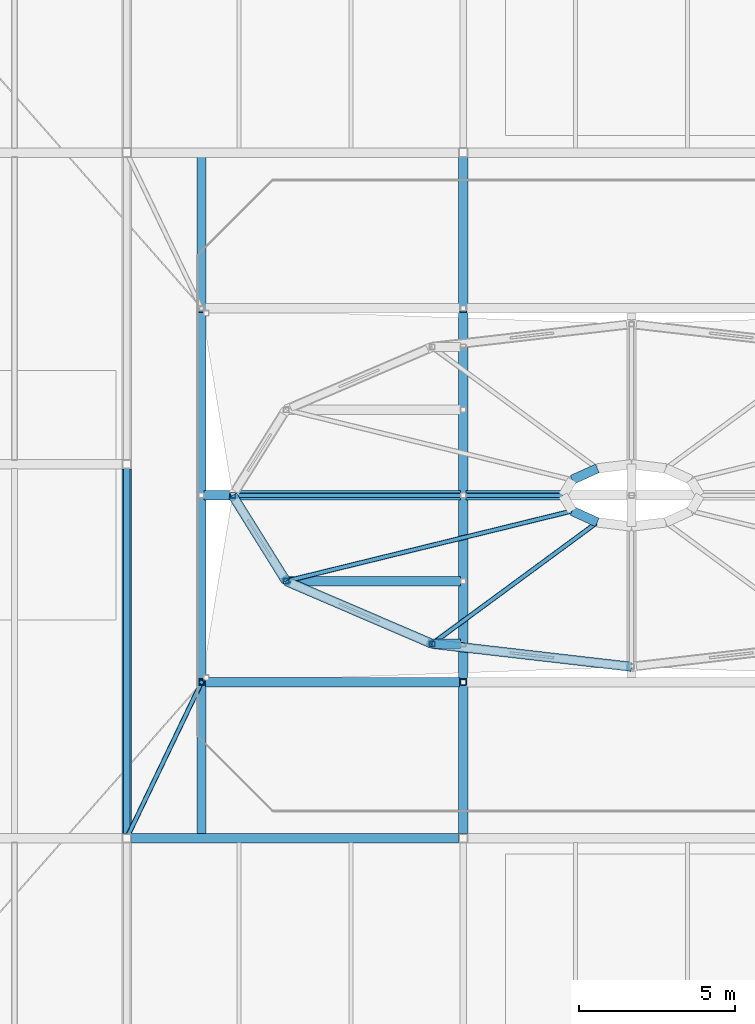
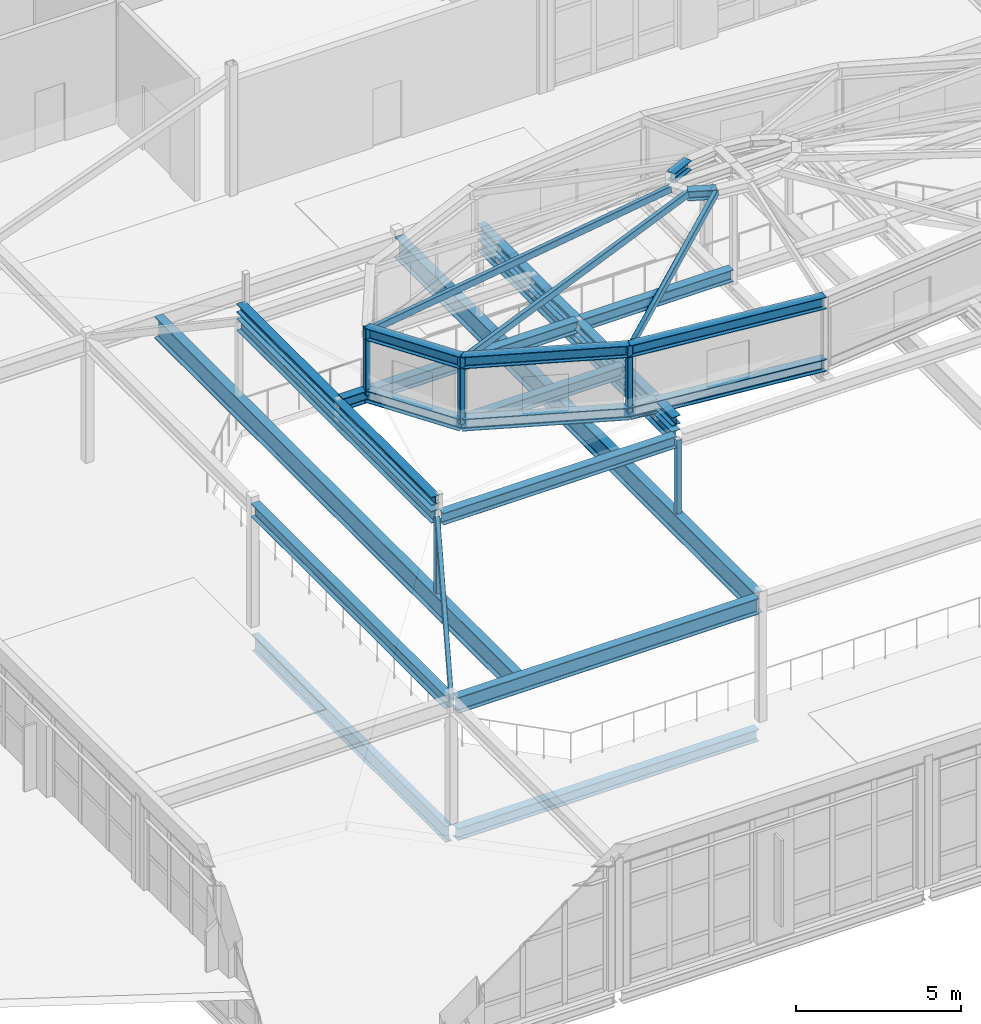
# One storey, part 28 of 86: 21 beams, 11 members.
"""IFC4 building model written with IfcOpenShell, lengths in metres."""

from ifc_helpers import new_model, si_unit, direction, frame, origin, origin_2d, place, context, subcontext, project, spatial, hollow_rectangle, i_section, extrude, material, material_profile, profile_set, type_object, element, save


model = new_model("IFC4")

# Units and contexts
model_context = context("Model", 3, precision=1e-05, world=origin(), true_north=direction((0.0, 1.0)))
body_context = subcontext(model_context, "Body", "Model", "MODEL_VIEW")
ifc_project = project(units=[si_unit("LENGTHUNIT", "METRE"), si_unit("AREAUNIT", "SQUARE_METRE"), si_unit("VOLUMEUNIT", "CUBIC_METRE"), si_unit("PLANEANGLEUNIT", "RADIAN"), si_unit("MASSUNIT", "GRAM", prefix="KILO")], contexts=[model_context])

# Site, building, storey
site_placement = place(None, origin())
site = spatial("IfcSite", under=ifc_project, at=site_placement, CompositionType="ELEMENT")
building_placement = place(site_placement, origin())
building = spatial("IfcBuilding", under=site, at=building_placement, Name="Tasgan Crest Museum", CompositionType="ELEMENT")
storey_placement = place(building_placement, frame((0.0, 0.0, 24.0)))
storey = spatial("IfcBuildingStorey", under=building, at=storey_placement, Name="L04", CompositionType="ELEMENT", Elevation=24.0)

# Beams
ifc_material_1 = material(Name="Steel S355K2", Category="steel")
ifc_material_profile_1 = material_profile(ifc_material_1, i_section(OverallWidth=0.300048828125, OverallDepth=0.43994140625, WebThickness=0.011474609375, FlangeThickness=0.02099609375, FilletRadius=0.027099609375, at=origin_2d()), Name="HEA 450")
ifc_profile_set_1 = profile_set([ifc_material_profile_1], Name="Steel S355K2")
beam_type_1 = type_object("IfcBeamType", Name="BM-DRUM-RING", PredefinedType="BEAM", material=ifc_profile_set_1)
beam_1_placement = place(storey_placement, frame((67.324951171875, 55.0, 7.320068359375), z_axis=(1.0, 0.0, 0.0), x_axis=(0.0, 1.0, 0.0)))
element("IfcBeam", 1, at=beam_1_placement, inside=storey, type_object=beam_type_1, Name="Winter-garden crown ring beam S1", PredefinedType="BEAM", context=body_context, shape_type="SweptSolid", body=[
    extrude(i_section(OverallWidth=0.300048828125, OverallDepth=0.43994140625, WebThickness=0.011474609375, FlangeThickness=0.02099609375, FilletRadius=0.027099609375, at=origin_2d()), origin(), (0.0, 0.0, 1.0), 8.150146484375),
])
for number, where, z_axis, x_axis, name in (
    (2, (67.199951171875, 55.125, 7.320068359375), (0.0, 1.0, 0.0), (-1.0, 0.0, 0.0), "Winter-garden crown ring beam W"),
    (3, (75.60009765625, 55.125, 7.320068359375), (0.0, 1.0, 0.0), (-1.0, 0.0, 0.0), "Winter-garden crown cross girder X=75.6"),
):
    element("IfcBeam", number, at=place(storey_placement, frame(where, z_axis=z_axis, x_axis=x_axis)), inside=storey, type_object=beam_type_1, Name=name, PredefinedType="BEAM", context=body_context, shape_type="SweptSolid", body=[
        extrude(i_section(OverallWidth=0.300048828125, OverallDepth=0.43994140625, WebThickness=0.011474609375, FlangeThickness=0.02099609375, FilletRadius=0.027099609375, at=origin_2d()), origin(), (0.0, 0.0, 1.0), 11.75),
    ])
beam_2_placement = place(storey_placement, frame((67.284912109375, 61.0, 7.919921875), z_axis=(1.0, 0.0, 0.0), x_axis=(0.0, 1.0, 0.0)))
element("IfcBeam", 4, at=beam_2_placement, inside=storey, type_object=beam_type_1, Name="Rotunda longitudinal spine girder 1", PredefinedType="BEAM", context=body_context, shape_type="SweptSolid", body=[
    extrude(i_section(OverallWidth=0.300048828125, OverallDepth=0.43994140625, WebThickness=0.011474609375, FlangeThickness=0.02099609375, FilletRadius=0.027099609375, at=origin_2d()), origin(), (0.0, 0.0, 1.0), 8.22998046875),
])
beam_3_placement = place(storey_placement, frame((75.68505859375, 61.0, 7.919921875), z_axis=(1.0, 0.0, 0.0), x_axis=(0.0, 1.0, 0.0)))
element("IfcBeam", 5, at=beam_3_placement, inside=storey, type_object=beam_type_1, Name="Rotunda longitudinal spine girder 2", PredefinedType="BEAM", context=body_context, shape_type="SweptSolid", body=[
    extrude(i_section(OverallWidth=0.300048828125, OverallDepth=0.43994140625, WebThickness=0.011474609375, FlangeThickness=0.02099609375, FilletRadius=0.027099609375, at=origin_2d()), origin(), (0.0, 0.0, 1.0), 5.22998046875),
])
for number, where, z_axis, x_axis, name in (
    (6, (68.199951171875, 61.0, 7.919921875), (0.529131922022, -0.848539574267, 0.0), (0.848539574267, 0.529131922022, 0.0), "Rotunda base ring 7"),
    (7, (68.199951171875, 61.0, 10.219970703125), (0.529131922022, -0.848539574267, 0.0), (0.848539574267, 0.529131922022, 0.0), "Rotunda eave ring 7"),
):
    element("IfcBeam", number, at=place(storey_placement, frame(where, z_axis=z_axis, x_axis=x_axis)), inside=storey, type_object=beam_type_1, Name=name, PredefinedType="BEAM", context=body_context, shape_type="SweptSolid", body=[
        extrude(i_section(OverallWidth=0.300048828125, OverallDepth=0.43994140625, WebThickness=0.011474609375, FlangeThickness=0.02099609375, FilletRadius=0.027099609375, at=origin_2d()), origin(), (0.0, 0.0, 1.0), 3.240966796875),
    ])
beam_4_placement = place(storey_placement, frame((75.514892578125, 58.25, 7.919921875), z_axis=(-1.0, 0.0, 0.0), x_axis=(0.0, -1.0, 0.0)))
element("IfcBeam", 8, at=beam_4_placement, inside=storey, type_object=beam_type_1, Name="Rotunda radial vertex bearer 8", PredefinedType="BEAM", context=body_context, shape_type="SweptSolid", body=[
    extrude(i_section(OverallWidth=0.300048828125, OverallDepth=0.43994140625, WebThickness=0.011474609375, FlangeThickness=0.02099609375, FilletRadius=0.027099609375, at=origin_2d()), origin(), (0.0, 0.0, 1.0), 5.60009765625),
])
for number, where, z_axis, x_axis, name in (
    (9, (69.914794921875, 58.25, 7.919921875), (0.918775656521, -0.394780056468, 0.0), (0.394780056468, 0.918775656521, 0.0), "Rotunda base ring 8"),
    (10, (69.914794921875, 58.25, 10.219970703125), (0.918775656521, -0.394780056468, 0.0), (0.394780056468, 0.918775656521, 0.0), "Rotunda eave ring 8"),
):
    element("IfcBeam", number, at=place(storey_placement, frame(where, z_axis=z_axis, x_axis=x_axis)), inside=storey, type_object=beam_type_1, Name=name, PredefinedType="BEAM", context=body_context, shape_type="SweptSolid", body=[
        extrude(i_section(OverallWidth=0.300048828125, OverallDepth=0.43994140625, WebThickness=0.011474609375, FlangeThickness=0.02099609375, FilletRadius=0.027099609375, at=origin_2d()), origin(), (0.0, 0.0, 1.0), 5.099609375),
    ])
beam_5_placement = place(storey_placement, frame((75.514892578125, 56.23681640625, 7.919921875), z_axis=(-1.0, 0.0, 0.0), x_axis=(0.0, -1.0, 0.0)))
element("IfcBeam", 11, at=beam_5_placement, inside=storey, type_object=beam_type_1, Name="Rotunda radial vertex bearer 9", PredefinedType="BEAM", context=body_context, shape_type="SweptSolid", body=[
    extrude(i_section(OverallWidth=0.300048828125, OverallDepth=0.43994140625, WebThickness=0.011474609375, FlangeThickness=0.02099609375, FilletRadius=0.027099609375, at=origin_2d()), origin(), (0.0, 0.0, 1.0), 0.914794921875),
])
for number, where, z_axis, x_axis, name in (
    (12, (74.60009765625, 56.23681640625, 7.919921875), (0.993437783684, -0.114373816707, 0.0), (0.114373816707, 0.993437783684, 0.0), "Rotunda base ring 9"),
    (13, (74.60009765625, 56.23681640625, 10.219970703125), (0.993437783684, -0.114373816707, 0.0), (0.114373816707, 0.993437783684, 0.0), "Rotunda eave ring 9"),
):
    element("IfcBeam", number, at=place(storey_placement, frame(where, z_axis=z_axis, x_axis=x_axis)), inside=storey, type_object=beam_type_1, Name=name, PredefinedType="BEAM", context=body_context, shape_type="SweptSolid", body=[
        extrude(i_section(OverallWidth=0.300048828125, OverallDepth=0.43994140625, WebThickness=0.011474609375, FlangeThickness=0.02099609375, FilletRadius=0.027099609375, at=origin_2d()), origin(), (0.0, 0.0, 1.0), 6.442138671875),
    ])
ifc_material_2 = material(Name="Steel S355J2", Category="steel")
ifc_material_profile_2 = material_profile(ifc_material_2, i_section(OverallWidth=0.300048828125, OverallDepth=0.35009765625, WebThickness=0.009521484375, FlangeThickness=0.017578125, FilletRadius=0.027099609375, at=origin_2d()), Name="HEA 360")
ifc_profile_set_2 = profile_set([ifc_material_profile_2], Name="Steel S355J2")
beam_type_2 = type_object("IfcBeamType", Name="BM-G-HEA360", PredefinedType="BEAM", material=ifc_profile_set_2)
for number, where, z_axis, x_axis, name in (
    (14, (79.89990234375, 61.865966796875, 11.800048828125), (-0.910375930608, -0.41378214675, 0.0), (0.41378214675, -0.910375930608, 0.0), "Rotunda oculus compression ring 5"),
    (15, (79.0947265625, 60.5, 11.800048828125), (0.910375930608, -0.41378214675, 0.0), (0.41378214675, 0.910375930608, 0.0), "Rotunda oculus compression ring 8"),
):
    element("IfcBeam", number, at=place(storey_placement, frame(where, z_axis=z_axis, x_axis=x_axis)), inside=storey, type_object=beam_type_2, Name=name, PredefinedType="BEAM", context=body_context, shape_type="SweptSolid", body=[
        extrude(i_section(OverallWidth=0.300048828125, OverallDepth=0.35009765625, WebThickness=0.009521484375, FlangeThickness=0.017578125, FilletRadius=0.027099609375, at=origin_2d()), origin(), (0.0, 0.0, 1.0), 0.884521484375),
    ])
ifc_material_3 = material(Name="Steel S355J2", Category="steel")
ifc_material_profile_3 = material_profile(ifc_material_3, i_section(OverallWidth=0.300048828125, OverallDepth=0.43994140625, WebThickness=0.011474609375, FlangeThickness=0.02099609375, FilletRadius=0.027099609375, at=origin_2d()), Name="HEA 450")
ifc_profile_set_3 = profile_set([ifc_material_profile_3], Name="Steel S355J2")
beam_type_3 = type_object("IfcBeamType", Name="BM-G-HEA450", PredefinedType="BEAM", material=ifc_profile_set_3)
beam_6_placement = place(storey_placement, frame((64.946044921875, 50.0, -0.4599609375), z_axis=(1.0, 0.0, 0.0), x_axis=(0.0, 1.0, 0.0)))
element("IfcBeam", 16, at=beam_6_placement, inside=storey, type_object=beam_type_3, Name="Girder L04 F 64.8-75.6", PredefinedType="BEAM", context=body_context, shape_type="SweptSolid", body=[
    extrude(i_section(OverallWidth=0.300048828125, OverallDepth=0.43994140625, WebThickness=0.011474609375, FlangeThickness=0.02099609375, FilletRadius=0.027099609375, at=origin_2d()), origin(), (0.0, 0.0, 1.0), 10.508056640625),
])
ifc_material_4 = material(Name="Steel S355J2", Category="steel")
ifc_material_profile_4 = material_profile(ifc_material_4, i_section(OverallWidth=0.300048828125, OverallDepth=0.489990234375, WebThickness=0.011962890625, FlangeThickness=0.02294921875, FilletRadius=0.027099609375, at=origin_2d()), Name="HEA 500")
ifc_profile_set_4 = profile_set([ifc_material_profile_4], Name="Steel S355J2")
beam_type_4 = type_object("IfcBeamType", Name="BM-G-HEA500", PredefinedType="BEAM", material=ifc_profile_set_4)
beam_7_placement = place(storey_placement, frame((64.800048828125, 50.14599609375, 4.35498046875), z_axis=(0.0, 1.0, 0.0), x_axis=(-1.0, 0.0, 0.0)))
element("IfcBeam", 17, at=beam_7_placement, inside=storey, type_object=beam_type_4, Name="Winter-garden roof beam 7 50-62", PredefinedType="BEAM", context=body_context, shape_type="SweptSolid", body=[
    extrude(i_section(OverallWidth=0.300048828125, OverallDepth=0.489990234375, WebThickness=0.011962890625, FlangeThickness=0.02294921875, FilletRadius=0.027099609375, at=origin_2d()), origin(), (0.0, 0.0, 1.0), 11.7080078125),
])
ifc_material_5 = material(Name="Steel S355J2", Category="steel")
ifc_material_profile_5 = material_profile(ifc_material_5, i_section(OverallWidth=0.300048828125, OverallDepth=0.590087890625, WebThickness=0.012939453125, FlangeThickness=0.02490234375, FilletRadius=0.027099609375, at=origin_2d()), Name="HEA 600")
ifc_profile_set_5 = profile_set([ifc_material_profile_5], Name="Steel S355J2")
beam_type_5 = type_object("IfcBeamType", Name="BM-G-HEA600", PredefinedType="BEAM", material=ifc_profile_set_5)
beam_8_placement = place(storey_placement, frame((64.946044921875, 50.0, 4.304931640625), z_axis=(1.0, 0.0, 0.0), x_axis=(0.0, 1.0, 0.0)))
element("IfcBeam", 18, at=beam_8_placement, inside=storey, type_object=beam_type_5, Name="Winter-garden roof girder F 64.8-75.6", PredefinedType="BEAM", context=body_context, shape_type="SweptSolid", body=[
    extrude(i_section(OverallWidth=0.300048828125, OverallDepth=0.590087890625, WebThickness=0.012939453125, FlangeThickness=0.02490234375, FilletRadius=0.027099609375, at=origin_2d()), origin(), (0.0, 0.0, 1.0), 10.508056640625),
])
ifc_material_6 = material(Name="Steel S355J2", Category="steel")
ifc_material_profile_6 = material_profile(ifc_material_6, i_section(OverallWidth=0.219970703125, OverallDepth=0.60009765625, WebThickness=0.011962890625, FlangeThickness=0.01904296875, FilletRadius=0.02392578125, at=origin_2d()), Name="IPE 600")
ifc_profile_set_6 = profile_set([ifc_material_profile_6], Name="Steel S355J2")
beam_type_6 = type_object("IfcBeamType", Name="BM-G-IPE600", PredefinedType="BEAM", material=ifc_profile_set_6)
beam_9_placement = place(storey_placement, frame((64.800048828125, 50.14501953125, -0.5400390625), z_axis=(0.0, 1.0, 0.0), x_axis=(-1.0, 0.0, 0.0)))
element("IfcBeam", 19, at=beam_9_placement, inside=storey, type_object=beam_type_6, Name="Beam L04 7 50.0-62.0", PredefinedType="BEAM", context=body_context, shape_type="SweptSolid", body=[
    extrude(i_section(OverallWidth=0.219970703125, OverallDepth=0.60009765625, WebThickness=0.011962890625, FlangeThickness=0.01904296875, FilletRadius=0.02392578125, at=origin_2d()), origin(), (0.0, 0.0, 1.0), 11.7099609375),
])
ifc_material_7 = material(Name="Steel S355K2", Category="steel")
ifc_material_profile_7 = material_profile(ifc_material_7, i_section(OverallWidth=0.300048828125, OverallDepth=0.800048828125, WebThickness=0.017578125, FlangeThickness=0.032958984375, FilletRadius=0.030029296875, at=origin_2d()), Name="HEB 800")
ifc_profile_set_7 = profile_set([ifc_material_profile_7], Name="Steel S355K2")
beam_type_7 = type_object("IfcBeamType", Name="BM-TG-HEB800", PredefinedType="BEAM", material=ifc_profile_set_7)
for number, where, z_axis, x_axis, name in (
    (20, (67.199951171875, 50.14599609375, 4.199951171875), (0.0, 1.0, 0.0), (-1.0, 0.0, 0.0), "Winter-garden lantern support girder X=67.2"),
    (21, (75.60009765625, 50.14599609375, 4.199951171875), (0.0, 1.0, 0.0), (-1.0, 0.0, 0.0), "Winter-garden lantern support girder X=75.6"),
):
    element("IfcBeam", number, at=place(storey_placement, frame(where, z_axis=z_axis, x_axis=x_axis)), inside=storey, type_object=beam_type_7, Name=name, PredefinedType="BEAM", context=body_context, shape_type="SweptSolid", body=[
        extrude(i_section(OverallWidth=0.300048828125, OverallDepth=0.800048828125, WebThickness=0.017578125, FlangeThickness=0.032958984375, FilletRadius=0.030029296875, at=origin_2d()), origin(), (0.0, 0.0, 1.0), 21.7080078125),
    ])

# Members
ifc_material_8 = material(Name="Steel S355K2", Category="steel")
ifc_material_profile_8 = material_profile(ifc_material_8, hollow_rectangle(XDim=0.14990234375, YDim=0.25, WallThickness=0.010009765625, InnerFilletRadius=0.010009765625, OuterFilletRadius=0.02001953125, at=origin_2d()), Name="RHS 250x150x10")
ifc_profile_set_8 = profile_set([ifc_material_profile_8], Name="Steel S355K2")
member_type_1 = type_object("IfcMemberType", Name="MEM-DRUM-RIB", PredefinedType="RAFTER", material=ifc_profile_set_8)
member_1_placement = place(storey_placement, frame((68.199951171875, 61.0, 10.219970703125), z_axis=(0.989071950169, 0.0, 0.147433637236), x_axis=(0.0, 1.0, 0.0)))
element("IfcMember", 22, at=member_1_placement, inside=storey, type_object=member_type_1, Name="Rotunda radial rafter 7", PredefinedType="RAFTER", context=body_context, shape_type="SweptSolid", body=[
    extrude(hollow_rectangle(XDim=0.14990234375, YDim=0.25, WallThickness=0.010009765625, InnerFilletRadius=0.010009765625, OuterFilletRadius=0.02001953125, at=origin_2d()), origin(), (0.0, 0.0, 1.0), 10.71728515625),
])
member_2_placement = place(storey_placement, frame((69.914794921875, 58.25, 10.219970703125), z_axis=(0.95795799205, 0.234795373919, 0.164886681858), x_axis=(-0.238053730189, 0.971251986635, 0.0)))
element("IfcMember", 23, at=member_2_placement, inside=storey, type_object=member_type_1, Name="Rotunda radial rafter 8", PredefinedType="RAFTER", context=body_context, shape_type="SweptSolid", body=[
    extrude(hollow_rectangle(XDim=0.14990234375, YDim=0.25, WallThickness=0.010009765625, InnerFilletRadius=0.010009765625, OuterFilletRadius=0.02001953125, at=origin_2d()), origin(), (0.0, 0.0, 1.0), 9.582763671875),
])
member_3_placement = place(storey_placement, frame((74.60009765625, 56.23681640625, 10.219970703125), z_axis=(0.783349855236, 0.576037117152, 0.233547091537), x_axis=(-0.592420206422, 0.805629132432, 0.0)))
element("IfcMember", 24, at=member_3_placement, inside=storey, type_object=member_type_1, Name="Rotunda radial rafter 9", PredefinedType="RAFTER", context=body_context, shape_type="SweptSolid", body=[
    extrude(hollow_rectangle(XDim=0.14990234375, YDim=0.25, WallThickness=0.010009765625, InnerFilletRadius=0.010009765625, OuterFilletRadius=0.02001953125, at=origin_2d()), origin(), (0.0, 0.0, 1.0), 6.765625),
])
member_4_placement = place(storey_placement, frame((64.800048828125, 50.0, 4.5), z_axis=(0.385717184692, 0.80361016709, 0.453247121097), x_axis=(-0.901529926538, 0.432716756732, 0.0)))
element("IfcMember", 25, at=member_4_placement, inside=storey, type_object=member_type_1, Name="Winter-garden lantern rib SW", PredefinedType="RAFTER", context=body_context, shape_type="SweptSolid", body=[
    extrude(hollow_rectangle(XDim=0.14990234375, YDim=0.25, WallThickness=0.010009765625, InnerFilletRadius=0.010009765625, OuterFilletRadius=0.02001953125, at=origin_2d()), origin(), (0.0, 0.0, 1.0), 6.221923828125),
])
ifc_material_9 = material(Name="Steel S355K2", Category="steel")
ifc_material_profile_9 = material_profile(ifc_material_9, i_section(OverallWidth=0.300048828125, OverallDepth=0.31005859375, WebThickness=0.009033203125, FlangeThickness=0.015380859375, FilletRadius=0.027099609375, at=origin_2d()), Name="HEA 320")
ifc_profile_set_9 = profile_set([ifc_material_profile_9], Name="Steel S355K2")
member_type_2 = type_object("IfcMemberType", Name="TR-SAW-CHORD", PredefinedType="CHORD", material=ifc_profile_set_9)
for number, where, z_axis, x_axis, name in (
    (26, (75.60009765625, 55.10009765625, 7.919921875), (0.0, 1.0, 0.0), (-1.0, 0.0, 0.0), "Rotunda collar tie 5"),
    (27, (67.199951171875, 55.10009765625, 7.919921875), (0.0, 1.0, 0.0), (-1.0, 0.0, 0.0), "Rotunda collar tie 7"),
):
    element("IfcMember", number, at=place(storey_placement, frame(where, z_axis=z_axis, x_axis=x_axis)), inside=storey, type_object=member_type_2, Name=name, PredefinedType="CHORD", context=body_context, shape_type="SweptSolid", body=[
        extrude(i_section(OverallWidth=0.300048828125, OverallDepth=0.31005859375, WebThickness=0.009033203125, FlangeThickness=0.015380859375, FilletRadius=0.027099609375, at=origin_2d()), origin(), (0.0, 0.0, 1.0), 11.7998046875),
    ])
ifc_material_10 = material(Name="Steel S355K2", Category="steel")
ifc_material_profile_10 = material_profile(ifc_material_10, hollow_rectangle(XDim=0.179931640625, YDim=0.179931640625, WallThickness=0.010009765625, InnerFilletRadius=0.010009765625, OuterFilletRadius=0.02001953125, at=origin_2d()), Name="SHS 180x180x10")
ifc_profile_set_10 = profile_set([ifc_material_profile_10], Name="Steel S355K2")
member_type_3 = type_object("IfcMemberType", Name="TR-SAW-POST", PredefinedType="POST", material=ifc_profile_set_10)
for number, where, z_axis, x_axis, name in (
    (28, (67.199951171875, 55.0, 4.580078125), (0.0, 0.0, 1.0), (1.0, 0.0, 0.0), "Winter-garden lantern post X=67.2 S"),
    (29, (75.60009765625, 55.0, 4.580078125), (0.0, 0.0, 1.0), (1.0, 0.0, 0.0), "Winter-garden lantern post X=75.6 S"),
):
    element("IfcMember", number, at=place(storey_placement, frame(where, z_axis=z_axis, x_axis=x_axis)), inside=storey, type_object=member_type_3, Name=name, PredefinedType="POST", context=body_context, shape_type="SweptSolid", body=[
        extrude(hollow_rectangle(XDim=0.179931640625, YDim=0.179931640625, WallThickness=0.010009765625, InnerFilletRadius=0.010009765625, OuterFilletRadius=0.02001953125, at=origin_2d()), origin(), (0.0, 0.0, 1.0), 2.739990234375),
    ])
for number, where, z_axis, x_axis, name in (
    (30, (68.199951171875, 61.0, 7.919921875), (0.0, 0.0, 1.0), (1.0, 0.0, 0.0), "Rotunda drum post 7"),
    (31, (69.914794921875, 58.25, 7.919921875), (0.0, 0.0, 1.0), (1.0, 0.0, 0.0), "Rotunda drum post 8"),
    (32, (74.60009765625, 56.23681640625, 7.919921875), (0.0, 0.0, 1.0), (1.0, 0.0, 0.0), "Rotunda drum post 9"),
):
    element("IfcMember", number, at=place(storey_placement, frame(where, z_axis=z_axis, x_axis=x_axis)), inside=storey, type_object=member_type_3, Name=name, PredefinedType="POST", context=body_context, shape_type="SweptSolid", body=[
        extrude(hollow_rectangle(XDim=0.179931640625, YDim=0.179931640625, WallThickness=0.010009765625, InnerFilletRadius=0.010009765625, OuterFilletRadius=0.02001953125, at=origin_2d()), origin(), (0.0, 0.0, 1.0), 2.47998046875),
    ])

save(model, "model.ifc")
